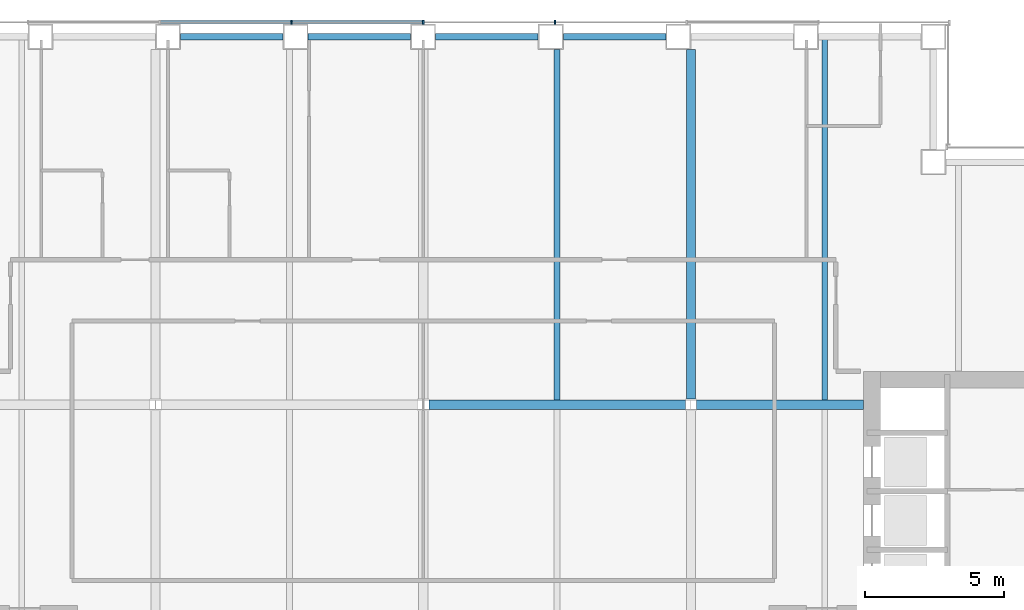
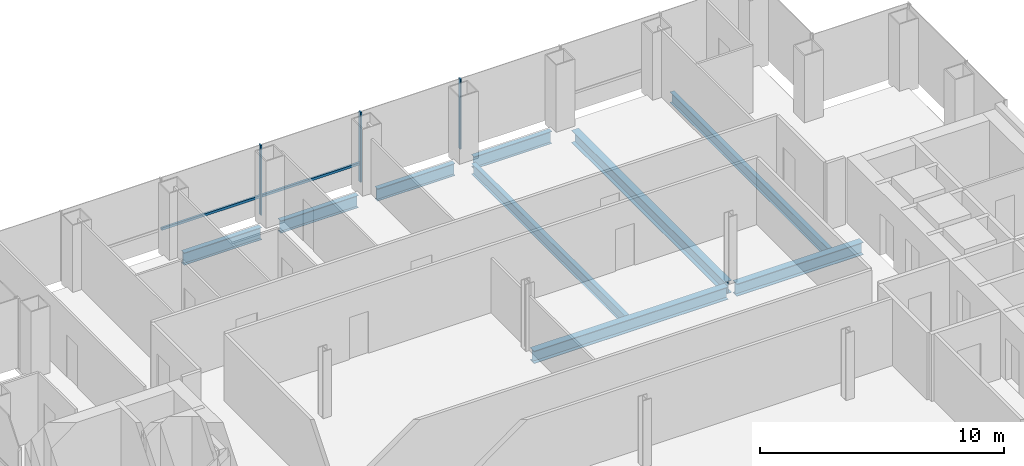
# One storey, part 7 of 15: 9 beams, 5 members, 1 element without a shape of its own.
"""IFC4 building model written with IfcOpenShell, lengths in metres."""

from ifc_helpers import new_model, si_unit, direction, frame, origin, origin_2d, place, context, subcontext, project, spatial, rectangle, i_section, extrude, material, material_profile, profile_set, type_object, element, aggregate, save


model = new_model("IFC4")

# Units and contexts
model_context = context("Model", 3, precision=1e-05, world=origin(), true_north=direction((0.0, 1.0)))
body_context = subcontext(model_context, "Body", "Model", "MODEL_VIEW")
ifc_project = project(units=[si_unit("LENGTHUNIT", "METRE"), si_unit("AREAUNIT", "SQUARE_METRE"), si_unit("VOLUMEUNIT", "CUBIC_METRE"), si_unit("PLANEANGLEUNIT", "RADIAN"), si_unit("MASSUNIT", "GRAM", prefix="KILO")], contexts=[model_context])

# Site, building, storey
site_placement = place(None, origin())
site = spatial("IfcSite", under=ifc_project, at=site_placement, CompositionType="ELEMENT")
building_placement = place(site_placement, origin())
building = spatial("IfcBuilding", under=site, at=building_placement, Name="Cobrizo Arcos Hotel Tower", CompositionType="ELEMENT")
storey_placement = place(building_placement, frame((0.0, 0.0, 99.5)))
storey = spatial("IfcBuildingStorey", under=building, at=storey_placement, Name="L24", CompositionType="ELEMENT", Elevation=99.5)

# Curtain wall, members
ifc_material_1 = material(Name="Aluminium 6063-T6 anodised bronze", Category="aluminium")
curtain_wall_type = type_object("IfcCurtainWallType", Name="CW-A guest facade", PredefinedType="NOTDEFINED", material=ifc_material_1)
curtain_wall_placement = place(storey_placement, origin())
curtain_wall = element("IfcCurtainWall", 1, at=curtain_wall_placement, inside=storey, type_object=curtain_wall_type, Name="CW-A L24 N face", PredefinedType="NOTDEFINED")
ifc_material_profile_1 = material_profile(ifc_material_1, rectangle(XDim=0.14990234375, YDim=0.06005859375, at=origin_2d()), Name="CW-A mullion 150x60")
ifc_profile_set_1 = profile_set([ifc_material_profile_1], Name="Aluminium 6063-T6 anodised bronze")
member_type_1 = type_object("IfcMemberType", Name="CW-A mullion 150x60", PredefinedType="MULLION", material=ifc_profile_set_1)
member_1_placement = place(storey_placement, frame((4.72509765625, 23.324951171875, 0.0), z_axis=(0.0, 0.0, 1.0), x_axis=(0.0, 1.0, 0.0)))
member_1 = element("IfcMember", 2, at=member_1_placement, type_object=member_type_1, Name="CW-A mullion 4", PredefinedType="MULLION", context=body_context, shape_type="SweptSolid", body=[
    extrude(rectangle(XDim=0.14990234375, YDim=0.06005859375, at=origin_2d()), origin(), (0.0, 0.0, 1.0), 3.5),
])
member_2_placement = place(storey_placement, frame((0.0, 23.324951171875, 0.0), z_axis=(0.0, 0.0, 1.0), x_axis=(0.0, 1.0, 0.0)))
member_2 = element("IfcMember", 3, at=member_2_placement, type_object=member_type_1, Name="CW-A mullion 5", PredefinedType="MULLION", context=body_context, shape_type="SweptSolid", body=[
    extrude(rectangle(XDim=0.14990234375, YDim=0.06005859375, at=origin_2d()), origin(), (0.0, 0.0, 1.0), 3.5),
])
member_3_placement = place(storey_placement, frame((-4.72509765625, 23.324951171875, 0.0), z_axis=(0.0, 0.0, 1.0), x_axis=(0.0, 1.0, 0.0)))
member_3 = element("IfcMember", 4, at=member_3_placement, type_object=member_type_1, Name="CW-A mullion 6", PredefinedType="MULLION", context=body_context, shape_type="SweptSolid", body=[
    extrude(rectangle(XDim=0.14990234375, YDim=0.06005859375, at=origin_2d()), origin(), (0.0, 0.0, 1.0), 3.5),
])
ifc_material_profile_2 = material_profile(ifc_material_1, rectangle(XDim=0.10009765625, YDim=0.1201171875, at=origin_2d()), Name="CW-A transom 120x100")
ifc_profile_set_2 = profile_set([ifc_material_profile_2], Name="Aluminium 6063-T6 anodised bronze")
member_type_2 = type_object("IfcMemberType", Name="CW-A transom 120x100", PredefinedType="USERDEFINED", material=ifc_profile_set_2)
member_4_placement = place(storey_placement, frame((-0.030029296875, 23.324951171875, 0.929931640625), z_axis=(-1.0, 0.0, 0.0), x_axis=(0.0, -1.0, 0.0)))
member_4 = element("IfcMember", 5, at=member_4_placement, type_object=member_type_2, Name="CW-A transom 967", ObjectType="TRANSOM", PredefinedType="USERDEFINED", context=body_context, shape_type="SweptSolid", body=[
    extrude(rectangle(XDim=0.10009765625, YDim=0.1201171875, at=origin_2d()), origin(), (0.0, 0.0, 1.0), 4.6650390625),
])
member_5_placement = place(storey_placement, frame((-4.7548828125, 23.324951171875, 0.929931640625), z_axis=(-1.0, 0.0, 0.0), x_axis=(0.0, -1.0, 0.0)))
member_5 = element("IfcMember", 6, at=member_5_placement, type_object=member_type_2, Name="CW-A transom 968", ObjectType="TRANSOM", PredefinedType="USERDEFINED", context=body_context, shape_type="SweptSolid", body=[
    extrude(rectangle(XDim=0.10009765625, YDim=0.1201171875, at=origin_2d()), origin(), (0.0, 0.0, 1.0), 4.6650390625),
])
aggregate(curtain_wall, [member_1, member_2, member_3, member_4, member_5])

# Beams
ifc_material_2 = material(Name="Steel ASTM A992 Grade 50", Category="steel")
ifc_material_profile_3 = material_profile(ifc_material_2, i_section(OverallWidth=0.209228515625, OverallDepth=0.533447265625, WebThickness=0.01025390625, FlangeThickness=0.015625, at=origin_2d()), Name="W21X62")
ifc_profile_set_3 = profile_set([ifc_material_profile_3], Name="Steel ASTM A992 Grade 50")
beam_type_1 = type_object("IfcBeamType", Name="W21X62 joist", PredefinedType="JOIST", material=ifc_profile_set_3)
beam_1_placement = place(storey_placement, frame((4.800048828125, 9.763916015625, -0.416748046875), z_axis=(0.0, 1.0, 0.0), x_axis=(-1.0, 0.0, 0.0)))
element("IfcBeam", 7, at=beam_1_placement, inside=storey, type_object=beam_type_1, Name="Floor joist J1, L24, no. 014", PredefinedType="JOIST", context=body_context, shape_type="SweptSolid", body=[
    extrude(i_section(OverallWidth=0.209228515625, OverallDepth=0.533447265625, WebThickness=0.01025390625, FlangeThickness=0.015625, at=origin_2d()), origin(), (0.0, 0.0, 1.0), 12.586181640625),
])
beam_2_placement = place(storey_placement, frame((14.39990234375, 9.763916015625, -0.416748046875), z_axis=(0.0, 1.0, 0.0), x_axis=(-1.0, 0.0, 0.0)))
element("IfcBeam", 8, at=beam_2_placement, inside=storey, type_object=beam_type_1, Name="Floor joist J1, L24, no. 018", PredefinedType="JOIST", context=body_context, shape_type="SweptSolid", body=[
    extrude(i_section(OverallWidth=0.209228515625, OverallDepth=0.533447265625, WebThickness=0.01025390625, FlangeThickness=0.015625, at=origin_2d()), origin(), (0.0, 0.0, 1.0), 12.946044921875),
])
ifc_material_profile_4 = material_profile(ifc_material_2, i_section(OverallWidth=0.32763671875, OverallDepth=0.622314453125, WebThickness=0.015380859375, FlangeThickness=0.0244140625, at=origin_2d()), Name="W24X131")
ifc_profile_set_4 = profile_set([ifc_material_profile_4], Name="Steel ASTM A992 Grade 50")
beam_type_2 = type_object("IfcBeamType", Name="W24X131 girder", PredefinedType="BEAM", material=ifc_profile_set_4)
beam_3_placement = place(storey_placement, frame((0.199462890625, 9.60009765625, -0.461181640625), z_axis=(1.0, 0.0, 0.0), x_axis=(0.0, 1.0, 0.0)))
element("IfcBeam", 9, at=beam_3_placement, inside=storey, type_object=beam_type_2, Name="Floor girder G1, L24, no. 011", PredefinedType="BEAM", context=body_context, shape_type="SweptSolid", body=[
    extrude(i_section(OverallWidth=0.32763671875, OverallDepth=0.622314453125, WebThickness=0.015380859375, FlangeThickness=0.0244140625, at=origin_2d()), origin(), (0.0, 0.0, 1.0), 9.201171875),
])
beam_4_placement = place(storey_placement, frame((9.79931640625, 9.60009765625, -0.461181640625), z_axis=(1.0, 0.0, 0.0), x_axis=(0.0, 1.0, 0.0)))
element("IfcBeam", 10, at=beam_4_placement, inside=storey, type_object=beam_type_2, Name="Floor girder G1, L24, no. 012", PredefinedType="BEAM", context=body_context, shape_type="SweptSolid", body=[
    extrude(i_section(OverallWidth=0.32763671875, OverallDepth=0.622314453125, WebThickness=0.015380859375, FlangeThickness=0.0244140625, at=origin_2d()), origin(), (0.0, 0.0, 1.0), 5.99072265625),
])
beam_5_placement = place(storey_placement, frame((9.60009765625, 9.79931640625, -0.461181640625), z_axis=(0.0, 1.0, 0.0), x_axis=(-1.0, 0.0, 0.0)))
element("IfcBeam", 11, at=beam_5_placement, inside=storey, type_object=beam_type_2, Name="Floor girder G1, L24, no. 024", PredefinedType="BEAM", context=body_context, shape_type="SweptSolid", body=[
    extrude(i_section(OverallWidth=0.32763671875, OverallDepth=0.622314453125, WebThickness=0.015380859375, FlangeThickness=0.0244140625, at=origin_2d()), origin(), (0.0, 0.0, 1.0), 12.55078125),
])
ifc_material_profile_5 = material_profile(ifc_material_2, i_section(OverallWidth=0.23046875, OverallDepth=0.6171875, WebThickness=0.01318359375, FlangeThickness=0.022216796875, at=origin_2d()), Name="W24X94")
ifc_profile_set_5 = profile_set([ifc_material_profile_5], Name="Steel ASTM A992 Grade 50")
beam_type_3 = type_object("IfcBeamType", Name="W24X94 spandrel", PredefinedType="SPANDREL", material=ifc_profile_set_5)
for number, where, z_axis, x_axis, name in (
    (12, (8.699951171875, 22.800048828125, -0.45849609375), (-1.0, 0.0, 0.0), (0.0, -1.0, 0.0), "Spandrel beam W24X94, L24, no. 019"),
    (13, (4.125, 22.800048828125, -0.45849609375), (-1.0, 0.0, 0.0), (0.0, -1.0, 0.0), "Spandrel beam W24X94, L24, no. 020"),
    (14, (-0.449951171875, 22.800048828125, -0.45849609375), (-1.0, 0.0, 0.0), (0.0, -1.0, 0.0), "Spandrel beam W24X94, L24, no. 021"),
    (15, (-5.02490234375, 22.800048828125, -0.45849609375), (-1.0, 0.0, 0.0), (0.0, -1.0, 0.0), "Spandrel beam W24X94, L24, no. 022"),
):
    element("IfcBeam", number, at=place(storey_placement, frame(where, z_axis=z_axis, x_axis=x_axis)), inside=storey, type_object=beam_type_3, Name=name, PredefinedType="SPANDREL", context=body_context, shape_type="SweptSolid", body=[
        extrude(i_section(OverallWidth=0.23046875, OverallDepth=0.6171875, WebThickness=0.01318359375, FlangeThickness=0.022216796875, at=origin_2d()), origin(), (0.0, 0.0, 1.0), 3.675048828125),
    ])

save(model, "model.ifc")
